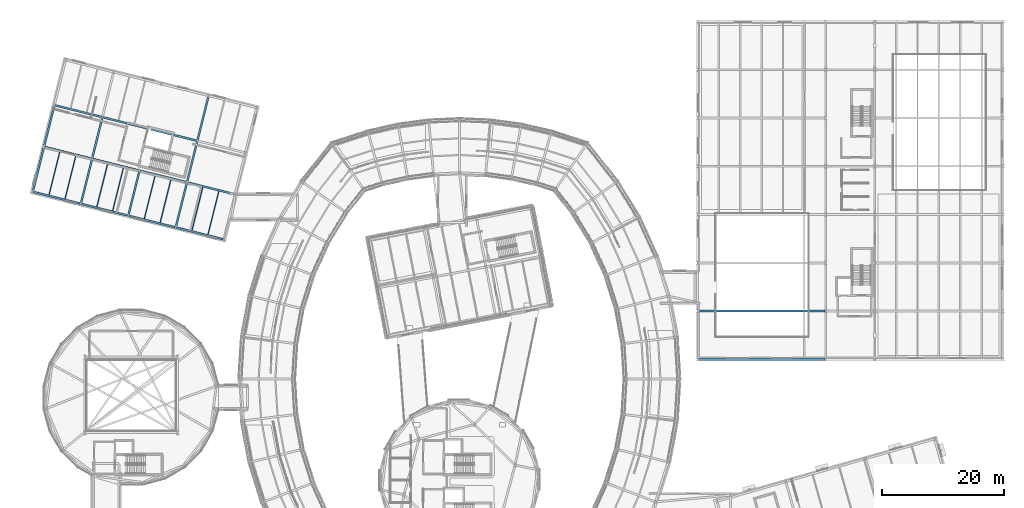
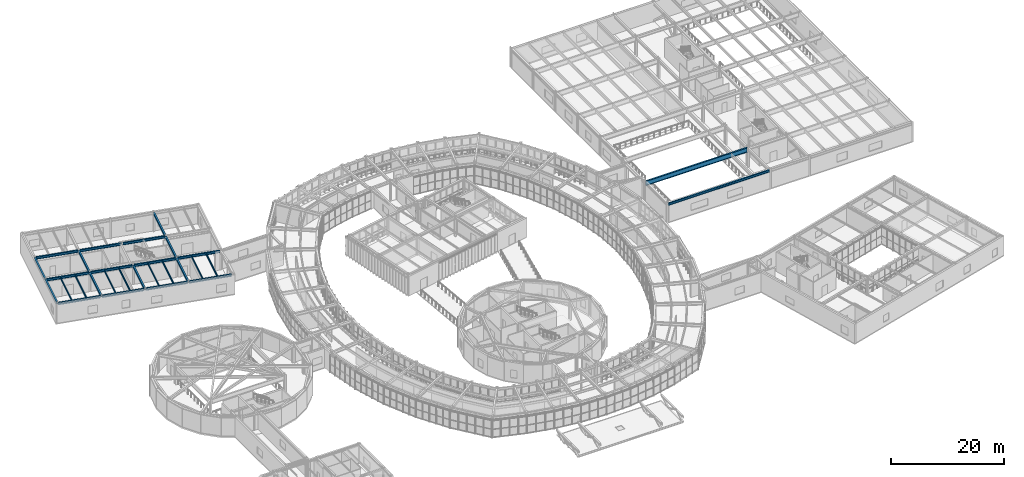
# One storey, part 39 of 103: 29 beams.
"""IFC4 building model written with IfcOpenShell, lengths in metres."""

from ifc_helpers import new_model, si_unit, direction, frame, origin, origin_2d, place, context, subcontext, project, spatial, i_section, extrude, material, material_profile, profile_set, type_object, element, save


model = new_model("IFC4")

# Units and contexts
model_context = context("Model", 3, precision=1e-05, world=origin(), true_north=direction((0.0, 1.0)))
body_context = subcontext(model_context, "Body", "Model", "MODEL_VIEW")
ifc_project = project(units=[si_unit("LENGTHUNIT", "METRE"), si_unit("AREAUNIT", "SQUARE_METRE"), si_unit("VOLUMEUNIT", "CUBIC_METRE"), si_unit("PLANEANGLEUNIT", "RADIAN"), si_unit("MASSUNIT", "GRAM", prefix="KILO")], contexts=[model_context])

# Site, building, storey
site_placement = place(None, origin())
site = spatial("IfcSite", under=ifc_project, at=site_placement, CompositionType="ELEMENT")
building_placement = place(site_placement, origin())
building = spatial("IfcBuilding", under=site, at=building_placement, Name="Varnklinge Art Gallery", CompositionType="ELEMENT")
storey_placement = place(building_placement, frame((0.0, 0.0, 5.10009765625)))
storey = spatial("IfcBuildingStorey", under=building, at=storey_placement, Name="L01", CompositionType="ELEMENT", Elevation=5.10009765625)

# Beams
ifc_material_1 = material(Name="Steel S355", Category="steel")
ifc_material_profile_1 = material_profile(ifc_material_1, i_section(OverallWidth=0.300048828125, OverallDepth=1.0, WebThickness=0.01904296875, FlangeThickness=0.035888671875, FilletRadius=0.030029296875, at=origin_2d()), Name="HEB 1000")
ifc_profile_set_1 = profile_set([ifc_material_profile_1], Name="Steel S355")
beam_type_1 = type_object("IfcBeamType", Name="BM-01", PredefinedType="BEAM", material=ifc_profile_set_1)
beam_1_placement = place(storey_placement, frame((114.5400390625, 66.10009765625, 3.669921875), z_axis=(1.0, 0.0, 0.0), x_axis=(0.0, 1.0, 0.0)))
element("IfcBeam", 1, at=beam_1_placement, inside=storey, type_object=beam_type_1, Name="L01 BM-01 BM-V1-L02-X1-0", PredefinedType="BEAM", context=body_context, shape_type="SweptSolid", body=[
    extrude(i_section(OverallWidth=0.300048828125, OverallDepth=1.0, WebThickness=0.01904296875, FlangeThickness=0.035888671875, FilletRadius=0.030029296875, at=origin_2d()), origin(), (0.0, 0.0, 1.0), 20.719970703125),
])
ifc_material_2 = material(Name="Steel S355", Category="steel")
ifc_material_profile_2 = material_profile(ifc_material_2, i_section(OverallWidth=0.300048828125, OverallDepth=0.489990234375, WebThickness=0.011962890625, FlangeThickness=0.02294921875, FilletRadius=0.027099609375, at=origin_2d()), Name="HEA 500")
ifc_profile_set_2 = profile_set([ifc_material_profile_2], Name="Steel S355")
beam_type_2 = type_object("IfcBeamType", Name="BM-07", PredefinedType="BEAM", material=ifc_profile_set_2)
beam_2_placement = place(storey_placement, frame((5.82861328125, 85.5908203125, 3.934814453125), z_axis=(0.970296564102, -0.241918535239, 0.0), x_axis=(0.241918535239, 0.970296564102, 0.0)))
element("IfcBeam", 2, at=beam_2_placement, inside=storey, type_object=beam_type_2, Name="L01 BM-07 BM-V5-L02-U0-0", PredefinedType="BEAM", context=body_context, shape_type="SweptSolid", body=[
    extrude(i_section(OverallWidth=0.300048828125, OverallDepth=0.489990234375, WebThickness=0.011962890625, FlangeThickness=0.02294921875, FilletRadius=0.027099609375, at=origin_2d()), origin(), (0.0, 0.0, 1.0), 7.820068359375),
])
beam_3_placement = place(storey_placement, frame((13.68798828125, 83.631103515625, 3.934814453125), z_axis=(0.970304122122, -0.241888219213, 0.0), x_axis=(0.241888219213, 0.970304122122, 0.0)))
element("IfcBeam", 3, at=beam_3_placement, inside=storey, type_object=beam_type_2, Name="L01 BM-07 BM-V5-L02-U0-1", PredefinedType="BEAM", context=body_context, shape_type="SweptSolid", body=[
    extrude(i_section(OverallWidth=0.300048828125, OverallDepth=0.489990234375, WebThickness=0.011962890625, FlangeThickness=0.02294921875, FilletRadius=0.027099609375, at=origin_2d()), origin(), (0.0, 0.0, 1.0), 7.72021484375),
])
beam_4_placement = place(storey_placement, frame((21.450439453125, 81.69580078125, 3.934814453125), z_axis=(0.970294848706, -0.241925415312, 0.0), x_axis=(0.241925415312, 0.970294848706, 0.0)))
element("IfcBeam", 4, at=beam_4_placement, inside=storey, type_object=beam_type_2, Name="L01 BM-07 BM-V5-L02-U0-2", PredefinedType="BEAM", context=body_context, shape_type="SweptSolid", body=[
    extrude(i_section(OverallWidth=0.300048828125, OverallDepth=0.489990234375, WebThickness=0.011962890625, FlangeThickness=0.02294921875, FilletRadius=0.027099609375, at=origin_2d()), origin(), (0.0, 0.0, 1.0), 7.719970703125),
])
beam_5_placement = place(storey_placement, frame((29.212890625, 79.760498046875, 3.934814453125), z_axis=(0.970294736921, -0.241925863651, 0.0), x_axis=(0.241925863651, 0.970294736921, 0.0)))
element("IfcBeam", 5, at=beam_5_placement, inside=storey, type_object=beam_type_2, Name="L01 BM-07 BM-V5-L02-U0-3", PredefinedType="BEAM", context=body_context, shape_type="SweptSolid", body=[
    extrude(i_section(OverallWidth=0.300048828125, OverallDepth=0.489990234375, WebThickness=0.011962890625, FlangeThickness=0.02294921875, FilletRadius=0.027099609375, at=origin_2d()), origin(), (0.0, 0.0, 1.0), 7.81982421875),
])
beam_6_placement = place(storey_placement, frame((7.667236328125, 92.965087890625, 3.934814453125), z_axis=(0.970296564102, -0.241918535239, 0.0), x_axis=(0.241918535239, 0.970296564102, 0.0)))
element("IfcBeam", 6, at=beam_6_placement, inside=storey, type_object=beam_type_2, Name="L01 BM-07 BM-V5-L02-U1-0", PredefinedType="BEAM", context=body_context, shape_type="SweptSolid", body=[
    extrude(i_section(OverallWidth=0.300048828125, OverallDepth=0.489990234375, WebThickness=0.011962890625, FlangeThickness=0.02294921875, FilletRadius=0.027099609375, at=origin_2d()), origin(), (0.0, 0.0, 1.0), 7.820068359375),
])
beam_7_placement = place(storey_placement, frame((15.526611328125, 91.00537109375, 3.934814453125), z_axis=(0.970304122122, -0.241888219213, 0.0), x_axis=(0.241888219213, 0.970304122122, 0.0)))
element("IfcBeam", 7, at=beam_7_placement, inside=storey, type_object=beam_type_2, Name="L01 BM-07 BM-V5-L02-U1-1", PredefinedType="BEAM", context=body_context, shape_type="SweptSolid", body=[
    extrude(i_section(OverallWidth=0.300048828125, OverallDepth=0.489990234375, WebThickness=0.011962890625, FlangeThickness=0.02294921875, FilletRadius=0.027099609375, at=origin_2d()), origin(), (0.0, 0.0, 1.0), 7.72021484375),
])
beam_8_placement = place(storey_placement, frame((23.2890625, 89.070068359375, 3.934814453125), z_axis=(0.970294848706, -0.241925415312, 0.0), x_axis=(0.241925415312, 0.970294848706, 0.0)))
element("IfcBeam", 8, at=beam_8_placement, inside=storey, type_object=beam_type_2, Name="L01 BM-07 BM-V5-L02-U1-2", PredefinedType="BEAM", context=body_context, shape_type="SweptSolid", body=[
    extrude(i_section(OverallWidth=0.300048828125, OverallDepth=0.489990234375, WebThickness=0.011962890625, FlangeThickness=0.02294921875, FilletRadius=0.027099609375, at=origin_2d()), origin(), (0.0, 0.0, 1.0), 7.719970703125),
])
for number, where, z_axis, x_axis, name in (
    (9, (31.051513671875, 87.134765625, 3.934814453125), (0.970294736921, -0.241925863651, 0.0), (0.241925863651, 0.970294736921, 0.0), "L01 BM-07 BM-V5-L02-U1-3"),
    (10, (9.36083984375, 99.757080078125, 3.934814453125), (0.970294736921, -0.241925863651, 0.0), (0.241925863651, 0.970294736921, 0.0), "L01 BM-07 BM-V5-L02-U2-0"),
):
    element("IfcBeam", number, at=place(storey_placement, frame(where, z_axis=z_axis, x_axis=x_axis)), inside=storey, type_object=beam_type_2, Name=name, PredefinedType="BEAM", context=body_context, shape_type="SweptSolid", body=[
        extrude(i_section(OverallWidth=0.300048828125, OverallDepth=0.489990234375, WebThickness=0.011962890625, FlangeThickness=0.02294921875, FilletRadius=0.027099609375, at=origin_2d()), origin(), (0.0, 0.0, 1.0), 7.81982421875),
    ])
beam_9_placement = place(storey_placement, frame((17.22021484375, 97.797607421875, 3.934814453125), z_axis=(0.970294848706, -0.241925415312, 0.0), x_axis=(0.241925415312, 0.970294848706, 0.0)))
element("IfcBeam", 11, at=beam_9_placement, inside=storey, type_object=beam_type_2, Name="L01 BM-07 BM-V5-L02-U2-1", PredefinedType="BEAM", context=body_context, shape_type="SweptSolid", body=[
    extrude(i_section(OverallWidth=0.300048828125, OverallDepth=0.489990234375, WebThickness=0.011962890625, FlangeThickness=0.02294921875, FilletRadius=0.027099609375, at=origin_2d()), origin(), (0.0, 0.0, 1.0), 7.719970703125),
])
beam_10_placement = place(storey_placement, frame((24.982421875, 95.862060546875, 3.934814453125), z_axis=(0.970304122122, -0.241888219213, 0.0), x_axis=(0.241888219213, 0.970304122122, 0.0)))
element("IfcBeam", 12, at=beam_10_placement, inside=storey, type_object=beam_type_2, Name="L01 BM-07 BM-V5-L02-U2-2", PredefinedType="BEAM", context=body_context, shape_type="SweptSolid", body=[
    extrude(i_section(OverallWidth=0.300048828125, OverallDepth=0.489990234375, WebThickness=0.011962890625, FlangeThickness=0.02294921875, FilletRadius=0.027099609375, at=origin_2d()), origin(), (0.0, 0.0, 1.0), 7.72021484375),
])
ifc_material_3 = material(Name="Steel S355", Category="steel")
ifc_material_profile_3 = material_profile(ifc_material_3, i_section(OverallWidth=0.300048828125, OverallDepth=0.43994140625, WebThickness=0.011474609375, FlangeThickness=0.02099609375, FilletRadius=0.027099609375, at=origin_2d()), Name="HEA 450")
ifc_profile_set_3 = profile_set([ifc_material_profile_3], Name="Steel S355")
beam_type_3 = type_object("IfcBeamType", Name="BM-08", PredefinedType="BEAM", material=ifc_profile_set_3)
beam_11_placement = place(storey_placement, frame((5.726806640625, 85.760498046875, 3.9599609375), z_axis=(0.241907757102, 0.97029925129, 0.0), x_axis=(-0.97029925129, 0.241907757102, 0.0)))
element("IfcBeam", 13, at=beam_11_placement, inside=storey, type_object=beam_type_3, Name="L01 BM-08 BM-V5-L02-V0-0", PredefinedType="BEAM", context=body_context, shape_type="SweptSolid", body=[
    extrude(i_section(OverallWidth=0.300048828125, OverallDepth=0.43994140625, WebThickness=0.011474609375, FlangeThickness=0.02099609375, FilletRadius=0.027099609375, at=origin_2d()), origin(), (0.0, 0.0, 1.0), 7.320068359375),
])
beam_12_placement = place(storey_placement, frame((7.5654296875, 93.134765625, 3.9599609375), z_axis=(0.241920106756, 0.970296172283, 0.0), x_axis=(-0.970296172283, 0.241920106756, 0.0)))
element("IfcBeam", 14, at=beam_12_placement, inside=storey, type_object=beam_type_3, Name="L01 BM-08 BM-V5-L02-V0-1", PredefinedType="BEAM", context=body_context, shape_type="SweptSolid", body=[
    extrude(i_section(OverallWidth=0.300048828125, OverallDepth=0.43994140625, WebThickness=0.011474609375, FlangeThickness=0.02099609375, FilletRadius=0.027099609375, at=origin_2d()), origin(), (0.0, 0.0, 1.0), 6.72021484375),
])
beam_13_placement = place(storey_placement, frame((13.586181640625, 83.80078125, 3.9599609375), z_axis=(0.241899928684, 0.970301202979, 0.0), x_axis=(-0.970301202979, 0.241899928684, 0.0)))
element("IfcBeam", 15, at=beam_13_placement, inside=storey, type_object=beam_type_3, Name="L01 BM-08 BM-V5-L02-V1-0", PredefinedType="BEAM", context=body_context, shape_type="SweptSolid", body=[
    extrude(i_section(OverallWidth=0.300048828125, OverallDepth=0.43994140625, WebThickness=0.011474609375, FlangeThickness=0.02099609375, FilletRadius=0.027099609375, at=origin_2d()), origin(), (0.0, 0.0, 1.0), 7.320068359375),
])
beam_14_placement = place(storey_placement, frame((15.4248046875, 91.175048828125, 3.9599609375), z_axis=(0.241920106756, 0.970296172283, 0.0), x_axis=(-0.970296172283, 0.241920106756, 0.0)))
element("IfcBeam", 16, at=beam_14_placement, inside=storey, type_object=beam_type_3, Name="L01 BM-08 BM-V5-L02-V1-1", PredefinedType="BEAM", context=body_context, shape_type="SweptSolid", body=[
    extrude(i_section(OverallWidth=0.300048828125, OverallDepth=0.43994140625, WebThickness=0.011474609375, FlangeThickness=0.02099609375, FilletRadius=0.027099609375, at=origin_2d()), origin(), (0.0, 0.0, 1.0), 6.72021484375),
])
for number, where, z_axis, x_axis, name in (
    (17, (21.3486328125, 81.865478515625, 3.9599609375), (0.241899928684, 0.970301202979, 0.0), (-0.970301202979, 0.241899928684, 0.0), "L01 BM-08 BM-V5-L02-V2-0"),
    (18, (29.11083984375, 79.93017578125, 3.9599609375), (0.241907757102, 0.97029925129, 0.0), (-0.97029925129, 0.241907757102, 0.0), "L01 BM-08 BM-V5-L02-V3-0"),
):
    element("IfcBeam", number, at=place(storey_placement, frame(where, z_axis=z_axis, x_axis=x_axis)), inside=storey, type_object=beam_type_3, Name=name, PredefinedType="BEAM", context=body_context, shape_type="SweptSolid", body=[
        extrude(i_section(OverallWidth=0.300048828125, OverallDepth=0.43994140625, WebThickness=0.011474609375, FlangeThickness=0.02099609375, FilletRadius=0.027099609375, at=origin_2d()), origin(), (0.0, 0.0, 1.0), 7.320068359375),
    ])
beam_15_placement = place(storey_placement, frame((30.949462890625, 87.304443359375, 3.9599609375), z_axis=(0.241920106756, 0.970296172283, 0.0), x_axis=(-0.970296172283, 0.241920106756, 0.0)))
element("IfcBeam", 19, at=beam_15_placement, inside=storey, type_object=beam_type_3, Name="L01 BM-08 BM-V5-L02-V3-1", PredefinedType="BEAM", context=body_context, shape_type="SweptSolid", body=[
    extrude(i_section(OverallWidth=0.300048828125, OverallDepth=0.43994140625, WebThickness=0.011474609375, FlangeThickness=0.02099609375, FilletRadius=0.027099609375, at=origin_2d()), origin(), (0.0, 0.0, 1.0), 6.72021484375),
])
beam_16_placement = place(storey_placement, frame((32.64306640625, 94.096435546875, 3.9599609375), z_axis=(0.241899928684, 0.970301202979, 0.0), x_axis=(-0.970301202979, 0.241899928684, 0.0)))
element("IfcBeam", 20, at=beam_16_placement, inside=storey, type_object=beam_type_3, Name="L01 BM-08 BM-V5-L02-V3-2", PredefinedType="BEAM", context=body_context, shape_type="SweptSolid", body=[
    extrude(i_section(OverallWidth=0.300048828125, OverallDepth=0.43994140625, WebThickness=0.011474609375, FlangeThickness=0.02099609375, FilletRadius=0.027099609375, at=origin_2d()), origin(), (0.0, 0.0, 1.0), 7.320068359375),
])
ifc_material_4 = material(Name="Steel S355", Category="steel")
ifc_material_profile_4 = material_profile(ifc_material_4, i_section(OverallWidth=0.169921875, OverallDepth=0.360107421875, WebThickness=0.008056640625, FlangeThickness=0.0126953125, FilletRadius=0.01806640625, at=origin_2d()), Name="IPE 360")
ifc_profile_set_4 = profile_set([ifc_material_profile_4], Name="Steel S355")
beam_type_4 = type_object("IfcBeamType", Name="JST-06", PredefinedType="JOIST", material=ifc_profile_set_4)
for number, where, z_axis, x_axis, name in (
    (21, (8.3466796875, 85.107421875, 4.0), (0.241907757102, 0.97029925129, 0.0), (-0.97029925129, 0.241907757102, 0.0), "L01 JST-06 JST-V5-L02-0-0-1"),
    (22, (10.96630859375, 84.4541015625, 4.0), (0.241939157724, 0.970291422182, 0.0), (-0.970291422182, 0.241939157724, 0.0), "L01 JST-06 JST-V5-L02-0-0-2"),
    (23, (16.173583984375, 83.15576171875, 4.0), (0.241939157724, 0.970291422182, 0.0), (-0.970291422182, 0.241939157724, 0.0), "L01 JST-06 JST-V5-L02-1-0-1"),
    (24, (18.760986328125, 82.5107421875, 4.0), (0.241939157724, 0.970291422182, 0.0), (-0.970291422182, 0.241939157724, 0.0), "L01 JST-06 JST-V5-L02-1-0-2"),
    (25, (23.93603515625, 81.220458984375, 4.0), (0.241907757102, 0.97029925129, 0.0), (-0.97029925129, 0.241907757102, 0.0), "L01 JST-06 JST-V5-L02-2-0-1"),
    (26, (26.5234375, 80.5751953125, 4.0), (0.241899928684, 0.970301202979, 0.0), (-0.970301202979, 0.241899928684, 0.0), "L01 JST-06 JST-V5-L02-2-0-2"),
    (27, (31.730712890625, 79.277099609375, 4.0), (0.241907757102, 0.97029925129, 0.0), (-0.97029925129, 0.241907757102, 0.0), "L01 JST-06 JST-V5-L02-3-0-1"),
    (28, (34.3505859375, 78.623779296875, 4.0), (0.241907757102, 0.97029925129, 0.0), (-0.97029925129, 0.241907757102, 0.0), "L01 JST-06 JST-V5-L02-3-0-2"),
):
    element("IfcBeam", number, at=place(storey_placement, frame(where, z_axis=z_axis, x_axis=x_axis)), inside=storey, type_object=beam_type_4, Name=name, PredefinedType="JOIST", context=body_context, shape_type="SweptSolid", body=[
        extrude(i_section(OverallWidth=0.169921875, OverallDepth=0.360107421875, WebThickness=0.008056640625, FlangeThickness=0.0126953125, FilletRadius=0.01806640625, at=origin_2d()), origin(), (0.0, 0.0, 1.0), 7.320068359375),
    ])
ifc_material_5 = material(Name="Steel S355", Category="steel")
ifc_material_profile_5 = material_profile(ifc_material_5, i_section(OverallWidth=0.300048828125, OverallDepth=0.489990234375, WebThickness=0.011962890625, FlangeThickness=0.02294921875, FilletRadius=0.027099609375, at=origin_2d()), Name="HEA 500")
ifc_profile_set_5 = profile_set([ifc_material_profile_5], Name="Steel S355")
beam_type_5 = type_object("IfcBeamType", Name="SPB-01", PredefinedType="SPANDREL", material=ifc_profile_set_5)
beam_17_placement = place(storey_placement, frame((114.5400390625, 58.199951171875, 3.9248046875), z_axis=(1.0, 0.0, 0.0), x_axis=(0.0, 1.0, 0.0)))
element("IfcBeam", 29, at=beam_17_placement, inside=storey, type_object=beam_type_5, Name="L01 SPB-01 BM-V1-L02-X0-0", PredefinedType="SPANDREL", context=body_context, shape_type="SweptSolid", body=[
    extrude(i_section(OverallWidth=0.300048828125, OverallDepth=0.489990234375, WebThickness=0.011962890625, FlangeThickness=0.02294921875, FilletRadius=0.027099609375, at=origin_2d()), origin(), (0.0, 0.0, 1.0), 20.719970703125),
])

save(model, "model.ifc")
